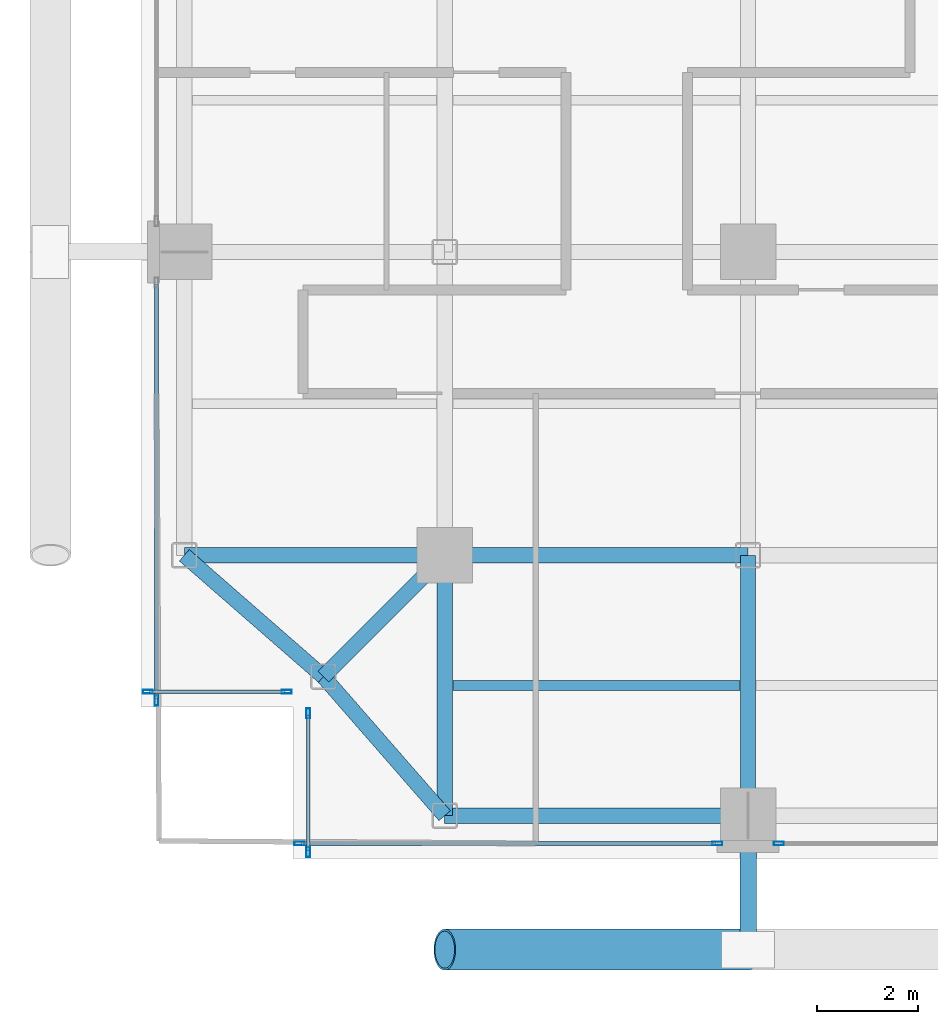
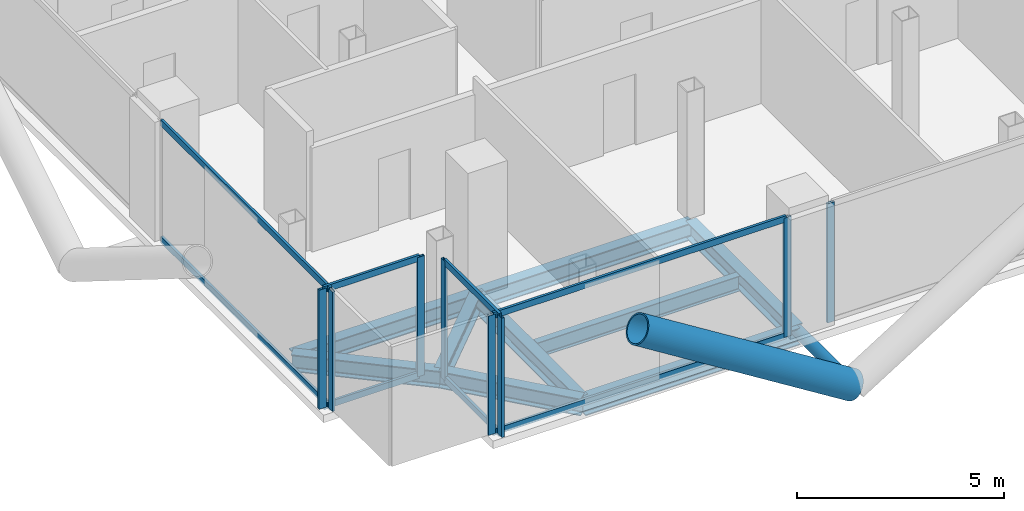
# One storey, part 2 of 28: 18 members, 9 beams, 5 elements without a shape of their own.
"""IFC4 building model written with IfcOpenShell, lengths in metres."""

from ifc_helpers import new_model, si_unit, direction, frame, origin, origin_2d, place, context, subcontext, project, spatial, hollow_rectangle, hollow_circle, i_section, extrude, material, layer, layer_set, material_profile, profile_set, type_object, element, aggregate, save


model = new_model("IFC4")

# Units and contexts
model_context = context("Model", 3, precision=1e-05, world=origin(), true_north=direction((0.0, 1.0)))
body_context = subcontext(model_context, "Body", "Model", "MODEL_VIEW")
ifc_project = project(units=[si_unit("LENGTHUNIT", "METRE"), si_unit("AREAUNIT", "SQUARE_METRE"), si_unit("VOLUMEUNIT", "CUBIC_METRE"), si_unit("PLANEANGLEUNIT", "RADIAN"), si_unit("MASSUNIT", "GRAM", prefix="KILO"), si_unit("THERMODYNAMICTEMPERATUREUNIT", "KELVIN"), si_unit("POWERUNIT", "WATT")], contexts=[model_context])

# Site, building, storey
site_placement = place(None, origin())
site = spatial("IfcSite", under=ifc_project, at=site_placement, CompositionType="ELEMENT")
building_placement = place(site_placement, origin())
building = spatial("IfcBuilding", under=site, at=building_placement, Name="Svarakhadi Broadcast Tower", CompositionType="ELEMENT")
storey_placement = place(building_placement, frame((0.0, 0.0, 138.14990234375)))
storey = spatial("IfcBuildingStorey", under=building, at=storey_placement, Name="L33", CompositionType="ELEMENT", Elevation=138.14990234375)

# Beam
ifc_material_1 = material(Name="Steel S355J2 (IS 2062 E350C)", Category="steel")
ifc_material_profile_1 = material_profile(ifc_material_1, i_section(OverallWidth=0.18994140625, OverallDepth=0.449951171875, WebThickness=0.009521484375, FlangeThickness=0.0146484375, FilletRadius=0.02099609375, at=origin_2d()), Name="NPB 450x190x78")
ifc_profile_set_1 = profile_set([ifc_material_profile_1], Name="Steel S355J2 (IS 2062 E350C)")
beam_type_1 = type_object("IfcBeamType", Name="Beam_NPB450", PredefinedType="BEAM", material=ifc_profile_set_1)
beam_1_placement = place(storey_placement, frame((6.159912109375, 3.425048828125, -0.449951171875), z_axis=(1.0, 0.0, 0.0), x_axis=(0.0, 1.0, 0.0)))
element("IfcBeam", 1, at=beam_1_placement, inside=storey, type_object=beam_type_1, Name="L33 Secondary Composite Beam SB006", PredefinedType="BEAM", context=body_context, shape_type="SweptSolid", body=[
    extrude(i_section(OverallWidth=0.18994140625, OverallDepth=0.449951171875, WebThickness=0.009521484375, FlangeThickness=0.0146484375, FilletRadius=0.02099609375, at=origin_2d()), origin(), (0.0, 0.0, 1.0), 5.68017578125),
])

# Curtain wall, members
ifc_material_2 = material(Name="Anodised Bronze Aluminium AA 6063-T6", Category="aluminium")
ifc_layer = layer(ifc_material_2, 0.199951171875)
ifc_layer_set = layer_set([ifc_layer], Name="Anodised Bronze Aluminium AA 6063-T6")
curtain_wall_type = type_object("IfcCurtainWallType", Name="CW_Sys_03", PredefinedType="NOTDEFINED", material=ifc_layer_set)
curtain_wall_1_placement = place(storey_placement, origin())
curtain_wall_1 = element("IfcCurtainWall", 2, at=curtain_wall_1_placement, inside=storey, type_object=curtain_wall_type, Name="L33 Unitised Facade Curtain Wall 01", PredefinedType="NOTDEFINED")
ifc_material_profile_2 = material_profile(ifc_material_2, hollow_rectangle(XDim=0.074951171875, YDim=0.199951171875, WallThickness=0.005615234375, at=origin_2d()), Name="ALU MULLION 200x75x6")
ifc_profile_set_2 = profile_set([ifc_material_profile_2], Name="Anodised Bronze Aluminium AA 6063-T6")
member_type_1 = type_object("IfcMemberType", Name="CW_Sys_03_Mul", PredefinedType="MULLION", material=ifc_profile_set_2)
member_1_placement = place(storey_placement, frame((2.87255859375, 3.300048828125, 0.0), z_axis=(0.0, 0.0, 1.0), x_axis=(0.0, -1.0, 0.0)))
member_1 = element("IfcMember", 3, at=member_1_placement, type_object=member_type_1, Name="CW-03 mullion 1", PredefinedType="MULLION", context=body_context, shape_type="SweptSolid", body=[
    extrude(hollow_rectangle(XDim=0.074951171875, YDim=0.199951171875, WallThickness=0.005615234375, at=origin_2d()), origin(), (0.0, 0.0, 1.0), 3.525146484375),
])
member_2_placement = place(storey_placement, frame((0.12744140625, 3.300048828125, 0.0), z_axis=(0.0, 0.0, 1.0), x_axis=(0.0, -1.0, 0.0)))
member_2 = element("IfcMember", 4, at=member_2_placement, type_object=member_type_1, Name="CW-03 mullion 2", PredefinedType="MULLION", context=body_context, shape_type="SweptSolid", body=[
    extrude(hollow_rectangle(XDim=0.074951171875, YDim=0.199951171875, WallThickness=0.005615234375, at=origin_2d()), origin(), (0.0, 0.0, 1.0), 3.525146484375),
])

# Curtain wall, member
curtain_wall_2_placement = place(storey_placement, origin())
curtain_wall_2 = element("IfcCurtainWall", 5, at=curtain_wall_2_placement, inside=storey, type_object=curtain_wall_type, Name="L33 West Curtain Wall 02 Bay 1", PredefinedType="NOTDEFINED")
member_3_placement = place(storey_placement, frame((0.300048828125, 3.12744140625, 0.0), z_axis=(0.0, 0.0, 1.0), x_axis=(-1.0, 0.0, 0.0)))
member_3 = element("IfcMember", 6, at=member_3_placement, type_object=member_type_1, Name="CW-03 mullion 1", PredefinedType="MULLION", context=body_context, shape_type="SweptSolid", body=[
    extrude(hollow_rectangle(XDim=0.074951171875, YDim=0.199951171875, WallThickness=0.005615234375, at=origin_2d()), origin(), (0.0, 0.0, 1.0), 3.525146484375),
])

curtain_wall_3_placement = place(storey_placement, origin())
curtain_wall_3 = element("IfcCurtainWall", 7, at=curtain_wall_3_placement, inside=storey, type_object=curtain_wall_type, Name="L33 South Curtain Wall 17 Bay 3", PredefinedType="NOTDEFINED")
member_4_placement = place(storey_placement, frame((12.607421875, 0.300048828125, 0.0), z_axis=(0.0, 0.0, 1.0), x_axis=(0.0, -1.0, 0.0)))
member_4 = element("IfcMember", 8, at=member_4_placement, type_object=member_type_1, Name="CW-03 mullion 2", PredefinedType="MULLION", context=body_context, shape_type="SweptSolid", body=[
    extrude(hollow_rectangle(XDim=0.074951171875, YDim=0.199951171875, WallThickness=0.005615234375, at=origin_2d()), origin(), (0.0, 0.0, 1.0), 3.525146484375),
])
aggregate(curtain_wall_3, [member_4])

# Curtain wall, members
curtain_wall_4_placement = place(storey_placement, origin())
curtain_wall_4 = element("IfcCurtainWall", 9, at=curtain_wall_4_placement, inside=storey, type_object=curtain_wall_type, Name="L33 South Curtain Wall 17 Bay 4", PredefinedType="NOTDEFINED")
member_5_placement = place(storey_placement, frame((11.392578125, 0.300048828125, 0.0), z_axis=(0.0, 0.0, 1.0), x_axis=(0.0, -1.0, 0.0)))
member_5 = element("IfcMember", 10, at=member_5_placement, type_object=member_type_1, Name="CW-03 mullion 1", PredefinedType="MULLION", context=body_context, shape_type="SweptSolid", body=[
    extrude(hollow_rectangle(XDim=0.074951171875, YDim=0.199951171875, WallThickness=0.005615234375, at=origin_2d()), origin(), (0.0, 0.0, 1.0), 3.525146484375),
])
member_6_placement = place(storey_placement, frame((3.12744140625, 0.300048828125, 0.0), z_axis=(0.0, 0.0, 1.0), x_axis=(0.0, -1.0, 0.0)))
member_6 = element("IfcMember", 11, at=member_6_placement, type_object=member_type_1, Name="CW-03 mullion 2", PredefinedType="MULLION", context=body_context, shape_type="SweptSolid", body=[
    extrude(hollow_rectangle(XDim=0.074951171875, YDim=0.199951171875, WallThickness=0.005615234375, at=origin_2d()), origin(), (0.0, 0.0, 1.0), 3.525146484375),
])

curtain_wall_5_placement = place(storey_placement, origin())
curtain_wall_5 = element("IfcCurtainWall", 12, at=curtain_wall_5_placement, inside=storey, type_object=curtain_wall_type, Name="L33 Unitised Facade Curtain Wall 18", PredefinedType="NOTDEFINED")
member_7_placement = place(storey_placement, frame((3.300048828125, 0.12744140625, 0.0), z_axis=(0.0, 0.0, 1.0), x_axis=(-1.0, 0.0, 0.0)))
member_7 = element("IfcMember", 13, at=member_7_placement, type_object=member_type_1, Name="CW-03 mullion 1", PredefinedType="MULLION", context=body_context, shape_type="SweptSolid", body=[
    extrude(hollow_rectangle(XDim=0.074951171875, YDim=0.199951171875, WallThickness=0.005615234375, at=origin_2d()), origin(), (0.0, 0.0, 1.0), 3.525146484375),
])
member_8_placement = place(storey_placement, frame((3.300048828125, 2.87255859375, 0.0), z_axis=(0.0, 0.0, 1.0), x_axis=(-1.0, 0.0, 0.0)))
member_8 = element("IfcMember", 14, at=member_8_placement, type_object=member_type_1, Name="CW-03 mullion 2", PredefinedType="MULLION", context=body_context, shape_type="SweptSolid", body=[
    extrude(hollow_rectangle(XDim=0.074951171875, YDim=0.199951171875, WallThickness=0.005615234375, at=origin_2d()), origin(), (0.0, 0.0, 1.0), 3.525146484375),
])

# Member
ifc_material_profile_3 = material_profile(ifc_material_2, hollow_rectangle(XDim=0.070068359375, YDim=0.18505859375, WallThickness=0.0048828125, at=origin_2d()), Name="ALU TRANSOM 185x70x5")
ifc_profile_set_3 = profile_set([ifc_material_profile_3], Name="Anodised Bronze Aluminium AA 6063-T6")
member_type_2 = type_object("IfcMemberType", Name="CW_Sys_03_Trn", PredefinedType="USERDEFINED", material=ifc_profile_set_3)
member_9_placement = place(storey_placement, frame((2.8349609375, 3.300048828125, 0.03515625), z_axis=(-1.0, 0.0, 0.0), x_axis=(0.0, -1.0, 0.0)))
member_9 = element("IfcMember", 15, at=member_9_placement, type_object=member_type_2, Name="CW-03 transom 1.1", ObjectType="TRANSOM", PredefinedType="USERDEFINED", context=body_context, shape_type="SweptSolid", body=[
    extrude(hollow_rectangle(XDim=0.070068359375, YDim=0.18505859375, WallThickness=0.0048828125, at=origin_2d()), origin(), (0.0, 0.0, 1.0), 2.669921875),
])

member_10_placement = place(storey_placement, frame((2.8349609375, 3.300048828125, 3.489990234375), z_axis=(-1.0, 0.0, 0.0), x_axis=(0.0, -1.0, 0.0)))
member_10 = element("IfcMember", 16, at=member_10_placement, type_object=member_type_2, Name="CW-03 transom 1.2", ObjectType="TRANSOM", PredefinedType="USERDEFINED", context=body_context, shape_type="SweptSolid", body=[
    extrude(hollow_rectangle(XDim=0.070068359375, YDim=0.18505859375, WallThickness=0.0048828125, at=origin_2d()), origin(), (0.0, 0.0, 1.0), 2.669921875),
])

aggregate(curtain_wall_1, [member_1, member_2, member_9, member_10])

member_11_placement = place(storey_placement, frame((0.300048828125, 3.1650390625, 0.03515625), z_axis=(0.0, 1.0, 0.0), x_axis=(-1.0, 0.0, 0.0)))
member_11 = element("IfcMember", 17, at=member_11_placement, type_object=member_type_2, Name="CW-03 transom 1.1", ObjectType="TRANSOM", PredefinedType="USERDEFINED", context=body_context, shape_type="SweptSolid", body=[
    extrude(hollow_rectangle(XDim=0.070068359375, YDim=0.18505859375, WallThickness=0.0048828125, at=origin_2d()), origin(), (0.0, 0.0, 1.0), 8.18994140625),
])

member_12_placement = place(storey_placement, frame((0.300048828125, 3.1650390625, 3.489990234375), z_axis=(0.0, 1.0, 0.0), x_axis=(-1.0, 0.0, 0.0)))
member_12 = element("IfcMember", 18, at=member_12_placement, type_object=member_type_2, Name="CW-03 transom 1.2", ObjectType="TRANSOM", PredefinedType="USERDEFINED", context=body_context, shape_type="SweptSolid", body=[
    extrude(hollow_rectangle(XDim=0.070068359375, YDim=0.18505859375, WallThickness=0.0048828125, at=origin_2d()), origin(), (0.0, 0.0, 1.0), 8.18994140625),
])

aggregate(curtain_wall_2, [member_3, member_11, member_12])

member_13_placement = place(storey_placement, frame((11.35498046875, 0.300048828125, 0.03515625), z_axis=(-1.0, 0.0, 0.0), x_axis=(0.0, -1.0, 0.0)))
member_13 = element("IfcMember", 19, at=member_13_placement, type_object=member_type_2, Name="CW-03 transom 1.1", ObjectType="TRANSOM", PredefinedType="USERDEFINED", context=body_context, shape_type="SweptSolid", body=[
    extrude(hollow_rectangle(XDim=0.070068359375, YDim=0.18505859375, WallThickness=0.0048828125, at=origin_2d()), origin(), (0.0, 0.0, 1.0), 8.18994140625),
])

member_14_placement = place(storey_placement, frame((11.35498046875, 0.300048828125, 3.489990234375), z_axis=(-1.0, 0.0, 0.0), x_axis=(0.0, -1.0, 0.0)))
member_14 = element("IfcMember", 20, at=member_14_placement, type_object=member_type_2, Name="CW-03 transom 1.2", ObjectType="TRANSOM", PredefinedType="USERDEFINED", context=body_context, shape_type="SweptSolid", body=[
    extrude(hollow_rectangle(XDim=0.070068359375, YDim=0.18505859375, WallThickness=0.0048828125, at=origin_2d()), origin(), (0.0, 0.0, 1.0), 8.18994140625),
])

aggregate(curtain_wall_4, [member_5, member_6, member_13, member_14])

member_15_placement = place(storey_placement, frame((3.300048828125, 0.1650390625, 0.03515625), z_axis=(0.0, 1.0, 0.0), x_axis=(-1.0, 0.0, 0.0)))
member_15 = element("IfcMember", 21, at=member_15_placement, type_object=member_type_2, Name="CW-03 transom 1.1", ObjectType="TRANSOM", PredefinedType="USERDEFINED", context=body_context, shape_type="SweptSolid", body=[
    extrude(hollow_rectangle(XDim=0.070068359375, YDim=0.18505859375, WallThickness=0.0048828125, at=origin_2d()), origin(), (0.0, 0.0, 1.0), 2.669921875),
])

member_16_placement = place(storey_placement, frame((3.300048828125, 0.1650390625, 3.489990234375), z_axis=(0.0, 1.0, 0.0), x_axis=(-1.0, 0.0, 0.0)))
member_16 = element("IfcMember", 22, at=member_16_placement, type_object=member_type_2, Name="CW-03 transom 1.2", ObjectType="TRANSOM", PredefinedType="USERDEFINED", context=body_context, shape_type="SweptSolid", body=[
    extrude(hollow_rectangle(XDim=0.070068359375, YDim=0.18505859375, WallThickness=0.0048828125, at=origin_2d()), origin(), (0.0, 0.0, 1.0), 2.669921875),
])

aggregate(curtain_wall_5, [member_7, member_8, member_15, member_16])

# Members
ifc_material_3 = material(Name="Steel S460ML (IS 2062 E450BR)", Category="steel")
ifc_material_profile_4 = material_profile(ifc_material_3, hollow_circle(Radius=0.406494140625, WallThickness=0.0400390625, at=origin_2d()), Name="CHS 813x40")
ifc_profile_set_4 = profile_set([ifc_material_profile_4], Name="Steel S460ML (IS 2062 E450BR)")
member_type_3 = type_object("IfcMemberType", Name="Exo_Brace_CHS813", PredefinedType="BRACE", material=ifc_profile_set_4)
member_17_placement = place(storey_placement, frame((12.0, -1.800048828125, -0.386962890625), z_axis=(-0.847998304005, 0.0, 0.529998940003), x_axis=(0.0, -1.0, 0.0)))
element("IfcMember", 23, at=member_17_placement, inside=storey, type_object=member_type_3, Name="L33 Exposed Bronze Exoskeleton Diagonal S01", PredefinedType="BRACE", context=body_context, shape_type="SweptSolid", body=[
    extrude(hollow_circle(Radius=0.406494140625, WallThickness=0.0400390625, at=origin_2d()), origin(), (0.0, 0.0, 1.0), 7.075439453125),
])
ifc_material_profile_5 = material_profile(ifc_material_3, hollow_circle(Radius=0.161865234375, WallThickness=0.01611328125, at=origin_2d()), Name="CHS 323.9x16")
ifc_profile_set_5 = profile_set([ifc_material_profile_5], Name="Steel S460ML (IS 2062 E450BR)")
member_type_4 = type_object("IfcMemberType", Name="Exo_Radial_Strut_Z2", PredefinedType="STRUT", material=ifc_profile_set_5)
member_18_placement = place(storey_placement, frame((12.0, -1.800048828125, -0.386962890625), z_axis=(0.0, 1.0, 0.0), x_axis=(-1.0, 0.0, 0.0)))
element("IfcMember", 24, at=member_18_placement, inside=storey, type_object=member_type_4, Name="L33 Exoskeleton Radial Tie Strut S01", PredefinedType="STRUT", context=body_context, shape_type="SweptSolid", body=[
    extrude(hollow_circle(Radius=0.161865234375, WallThickness=0.01611328125, at=origin_2d()), origin(), (0.0, 0.0, 1.0), 2.650146484375),
])

# Beams
ifc_material_profile_6 = material_profile(ifc_material_1, i_section(OverallWidth=0.300048828125, OverallDepth=0.5, WebThickness=0.014404296875, FlangeThickness=0.028076171875, FilletRadius=0.027099609375, at=origin_2d()), Name="WPB 500x300x187")
ifc_profile_set_6 = profile_set([ifc_material_profile_6], Name="Steel S355J2 (IS 2062 E350C)")
beam_type_2 = type_object("IfcBeamType", Name="Girder_WPB500", PredefinedType="USERDEFINED", material=ifc_profile_set_6)
beam_2_placement = place(storey_placement, frame((3.60009765625, 3.60009765625, -0.474853515625), z_axis=(0.707106781187, 0.707106781187, 0.0), x_axis=(-0.707106781187, 0.707106781187, 0.0)))
element("IfcBeam", 25, at=beam_2_placement, inside=storey, type_object=beam_type_2, Name="L33 Corner Tie Girder G001", ObjectType="GIRDER", PredefinedType="USERDEFINED", context=body_context, shape_type="SweptSolid", body=[
    extrude(i_section(OverallWidth=0.300048828125, OverallDepth=0.5, WebThickness=0.014404296875, FlangeThickness=0.028076171875, FilletRadius=0.027099609375, at=origin_2d()), origin(), (0.0, 0.0, 1.0), 3.39404296875),
])
for number, where, z_axis, x_axis, name in (
    (26, (3.60009765625, 3.60009765625, -0.474853515625), (-0.753437912176, 0.657519058655, 0.0), (-0.657519058655, -0.753437912176, 0.0), "L33 Corner Tie Girder G002"),
    (27, (3.60009765625, 3.60009765625, -0.474853515625), (0.657519058655, -0.753437912176, 0.0), (0.753437912176, 0.657519058655, 0.0), "L33 Corner Tie Girder G003"),
):
    element("IfcBeam", number, at=place(storey_placement, frame(where, z_axis=z_axis, x_axis=x_axis)), inside=storey, type_object=beam_type_2, Name=name, ObjectType="GIRDER", PredefinedType="USERDEFINED", context=body_context, shape_type="SweptSolid", body=[
        extrude(i_section(OverallWidth=0.300048828125, OverallDepth=0.5, WebThickness=0.014404296875, FlangeThickness=0.028076171875, FilletRadius=0.027099609375, at=origin_2d()), origin(), (0.0, 0.0, 1.0), 3.64990234375),
    ])
beam_3_placement = place(storey_placement, frame((6.0, 0.85009765625, -0.474853515625), z_axis=(1.0, 0.0, 0.0), x_axis=(0.0, 1.0, 0.0)))
element("IfcBeam", 28, at=beam_3_placement, inside=storey, type_object=beam_type_2, Name="L33 Primary E-W Girder G004", ObjectType="GIRDER", PredefinedType="USERDEFINED", context=body_context, shape_type="SweptSolid", body=[
    extrude(i_section(OverallWidth=0.300048828125, OverallDepth=0.5, WebThickness=0.014404296875, FlangeThickness=0.028076171875, FilletRadius=0.027099609375, at=origin_2d()), origin(), (0.0, 0.0, 1.0), 6.0),
])
beam_4_placement = place(storey_placement, frame((0.85009765625, 6.0, -0.474853515625), z_axis=(1.0, 0.0, 0.0), x_axis=(0.0, 1.0, 0.0)))
element("IfcBeam", 29, at=beam_4_placement, inside=storey, type_object=beam_type_2, Name="L33 Primary E-W Girder G010", ObjectType="GIRDER", PredefinedType="USERDEFINED", context=body_context, shape_type="SweptSolid", body=[
    extrude(i_section(OverallWidth=0.300048828125, OverallDepth=0.5, WebThickness=0.014404296875, FlangeThickness=0.028076171875, FilletRadius=0.027099609375, at=origin_2d()), origin(), (0.0, 0.0, 1.0), 5.14990234375),
])
beam_5_placement = place(storey_placement, frame((6.0, 6.0, -0.474853515625), z_axis=(1.0, 0.0, 0.0), x_axis=(0.0, 1.0, 0.0)))
element("IfcBeam", 30, at=beam_5_placement, inside=storey, type_object=beam_type_2, Name="L33 Primary E-W Girder G011", ObjectType="GIRDER", PredefinedType="USERDEFINED", context=body_context, shape_type="SweptSolid", body=[
    extrude(i_section(OverallWidth=0.300048828125, OverallDepth=0.5, WebThickness=0.014404296875, FlangeThickness=0.028076171875, FilletRadius=0.027099609375, at=origin_2d()), origin(), (0.0, 0.0, 1.0), 6.0),
])
for number, where, z_axis, x_axis, name in (
    (31, (6.0, 0.85009765625, -0.474853515625), (0.0, 1.0, 0.0), (-1.0, 0.0, 0.0), "L33 Primary N-S Girder G045"),
    (32, (12.0, 0.85009765625, -0.474853515625), (0.0, 1.0, 0.0), (-1.0, 0.0, 0.0), "L33 Primary N-S Girder G051"),
):
    element("IfcBeam", number, at=place(storey_placement, frame(where, z_axis=z_axis, x_axis=x_axis)), inside=storey, type_object=beam_type_2, Name=name, ObjectType="GIRDER", PredefinedType="USERDEFINED", context=body_context, shape_type="SweptSolid", body=[
        extrude(i_section(OverallWidth=0.300048828125, OverallDepth=0.5, WebThickness=0.014404296875, FlangeThickness=0.028076171875, FilletRadius=0.027099609375, at=origin_2d()), origin(), (0.0, 0.0, 1.0), 5.14990234375),
    ])

save(model, "model.ifc")
